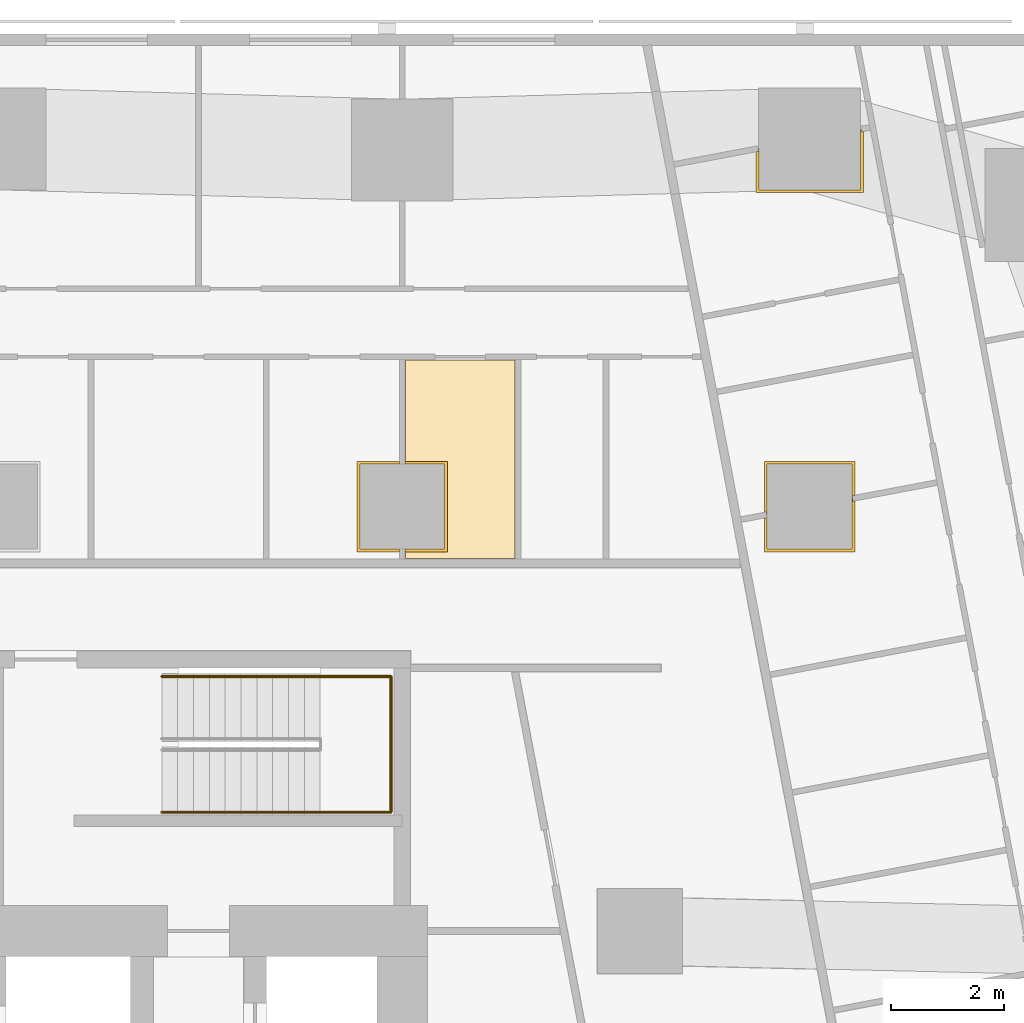
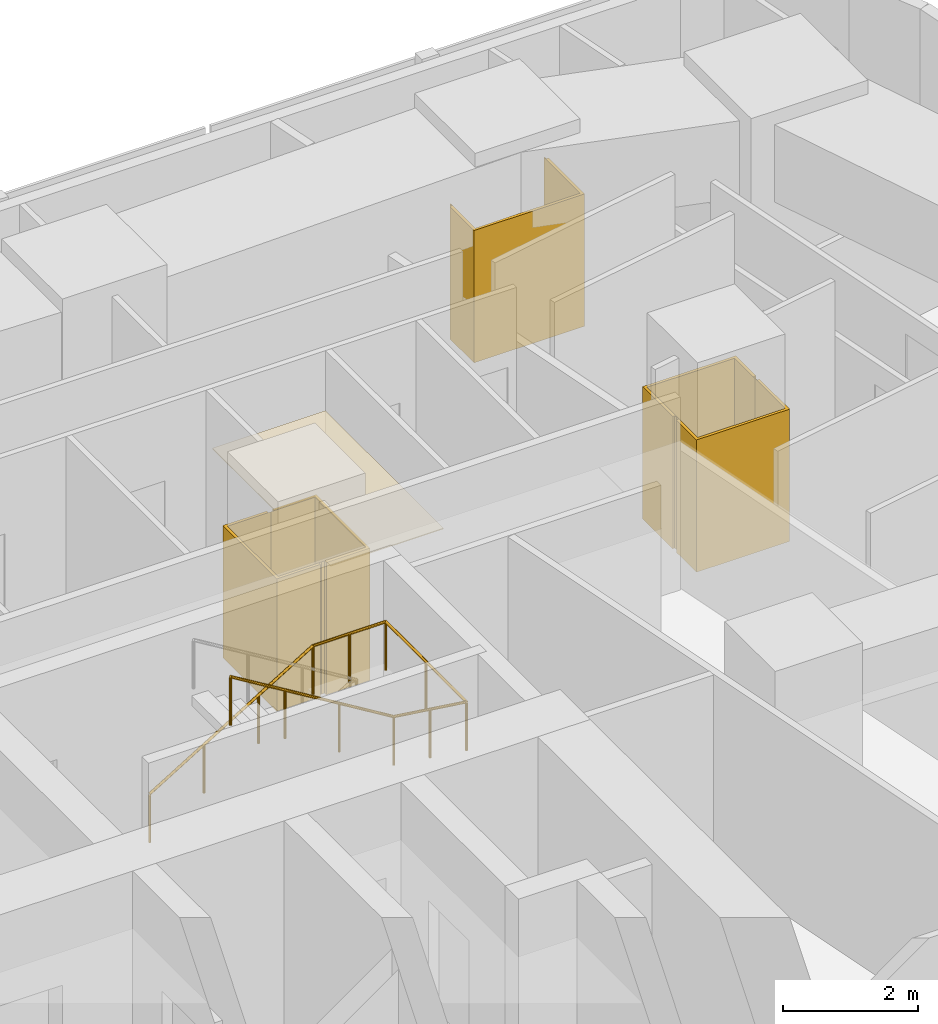
# One storey, part 15 of 15: 6 coverings, 1 railing.
"""IFC4 building model written with IfcOpenShell, lengths in metres."""

from ifc_helpers import new_model, si_unit, direction, frame, origin, origin_2d, place, context, subcontext, project, spatial, polyline, circle, outline, extrude, material, layer, layer_set, type_object, element, save


model = new_model("IFC4")

# Units and contexts
model_context = context("Model", 3, precision=1e-05, world=origin(), true_north=direction((0.0, 1.0)))
body_context = subcontext(model_context, "Body", "Model", "MODEL_VIEW")
ifc_project = project(units=[si_unit("LENGTHUNIT", "METRE"), si_unit("AREAUNIT", "SQUARE_METRE"), si_unit("VOLUMEUNIT", "CUBIC_METRE"), si_unit("PLANEANGLEUNIT", "RADIAN"), si_unit("MASSUNIT", "GRAM", prefix="KILO")], contexts=[model_context])

# Site, building, storey
site_placement = place(None, origin())
site = spatial("IfcSite", under=ifc_project, at=site_placement, CompositionType="ELEMENT")
building_placement = place(site_placement, origin())
building = spatial("IfcBuilding", under=site, at=building_placement, Name="Sheger Commons Tower", CompositionType="ELEMENT")
storey_placement = place(building_placement, frame((0.0, 0.0, 158.300048828125)))
storey = spatial("IfcBuildingStorey", under=building, at=storey_placement, Name="L40", CompositionType="ELEMENT", Elevation=158.300048828125)

# Railing
ifc_material_1 = material(Name="Steel handrail, black powder-coated", Category="steel")
railing_type = type_object("IfcRailingType", Name="HANDRAIL 900", PredefinedType="HANDRAIL", material=ifc_material_1)
railing_placement = place(storey_placement, frame((24.550048828125, 34.5, 0.17041015625)))
element("IfcRailing", 1, at=railing_placement, inside=storey, type_object=railing_type, Name="Stair S2 handrail L40", PredefinedType="HANDRAIL", context=body_context, shape_type="SweptSolid", body=[
    extrude(circle(Radius=0.02392578125, at=origin_2d()), frame((0.0, 0.0, 0.8759765625), z_axis=(0.854169791009, 0.0, 0.51999420009), x_axis=(0.0, 1.0, 0.0)), (0.0, 0.0, 1.0), 3.278076171875),
    extrude(circle(Radius=0.02392578125, at=origin_2d()), frame((2.800048828125, 0.0, 2.58056640625), z_axis=(1.0, 0.0, 0.0), x_axis=(0.0, 1.0, 0.0)), (0.0, 0.0, 1.0), 1.25),
    extrude(circle(Radius=0.02392578125, at=origin_2d()), frame((4.050048828125, 0.0, 2.58056640625), z_axis=(0.0, -1.0, 0.0), x_axis=(1.0, 0.0, 0.0)), (0.0, 0.0, 1.0), 2.39990234375),
    extrude(circle(Radius=0.02392578125, at=origin_2d()), frame((4.050048828125, -2.39990234375, 2.58056640625), z_axis=(-0.990834877927, 0.0, 0.135078661092), x_axis=(0.0, -1.0, 0.0)), (0.0, 0.0, 1.0), 1.261474609375),
    extrude(circle(Radius=0.02392578125, at=origin_2d()), frame((2.800048828125, -2.39990234375, 2.7509765625), z_axis=(-0.854169791009, 0.0, 0.51999420009), x_axis=(0.0, -1.0, 0.0)), (0.0, 0.0, 1.0), 3.278076171875),
    extrude(circle(Radius=0.02099609375, at=origin_2d()), origin(), (0.0, 0.0, 1.0), 0.851806640625),
    extrude(circle(Radius=0.02099609375, at=origin_2d()), frame((0.933349609375, 0.0, 0.568115234375)), (0.0, 0.0, 1.0), 0.851806640625),
    extrude(circle(Radius=0.02099609375, at=origin_2d()), frame((1.86669921875, 0.0, 1.136474609375)), (0.0, 0.0, 1.0), 0.851806640625),
    extrude(circle(Radius=0.02099609375, at=origin_2d()), frame((2.800048828125, 0.0, 1.70458984375)), (0.0, 0.0, 1.0), 0.851806640625),
    extrude(circle(Radius=0.02099609375, at=origin_2d()), frame((3.425048828125, 0.0, 1.70458984375)), (0.0, 0.0, 1.0), 0.851806640625),
    extrude(circle(Radius=0.02099609375, at=origin_2d()), frame((4.050048828125, 0.0, 1.70458984375)), (0.0, 0.0, 1.0), 0.851806640625),
    extrude(circle(Radius=0.02099609375, at=origin_2d()), frame((4.050048828125, -1.199951171875, 1.70458984375)), (0.0, 0.0, 1.0), 0.851806640625),
    extrude(circle(Radius=0.02099609375, at=origin_2d()), frame((4.050048828125, -2.39990234375, 1.70458984375)), (0.0, 0.0, 1.0), 0.851806640625),
    extrude(circle(Radius=0.02099609375, at=origin_2d()), frame((3.425048828125, -2.39990234375, 1.789794921875)), (0.0, 0.0, 1.0), 0.851806640625),
    extrude(circle(Radius=0.02099609375, at=origin_2d()), frame((2.800048828125, -2.39990234375, 1.875)), (0.0, 0.0, 1.0), 0.851806640625),
    extrude(circle(Radius=0.02099609375, at=origin_2d()), frame((1.86669921875, -2.39990234375, 2.443115234375)), (0.0, 0.0, 1.0), 0.851806640625),
    extrude(circle(Radius=0.02099609375, at=origin_2d()), frame((0.933349609375, -2.39990234375, 3.011474609375)), (0.0, 0.0, 1.0), 0.851806640625),
    extrude(circle(Radius=0.02099609375, at=origin_2d()), frame((0.0, -2.39990234375, 3.57958984375)), (0.0, 0.0, 1.0), 0.851806640625),
])

# Coverings
ifc_material_2 = material(Name="Moisture-resistant gypsum plasterboard 15 mm on a suspended galvanised steel grid", Category="steel")
ifc_layer_1 = layer(ifc_material_2, 0.014892578125)
ifc_layer_set_1 = layer_set([ifc_layer_1], Name="MOISTURE-RESISTANT CEILING 15")
covering_type_1 = type_object("IfcCoveringType", Name="MOISTURE-RESISTANT CEILING 15", PredefinedType="CEILING", material=ifc_layer_set_1)
covering_1_placement = place(storey_placement, frame((0.0, 0.0, 2.39990234375)))
element("IfcCovering", 2, at=covering_1_placement, inside=storey, type_object=covering_type_1, Name="L40-11.B3 ceiling", PredefinedType="CEILING", context=body_context, shape_type="SweptSolid", body=[
    extrude(outline(polyline([(28.85498046875, 36.580078125), (30.794921875, 36.580078125), (30.794921875, 40.094970703125), (28.85498046875, 40.094970703125), (28.85498046875, 38.2548828125), (29.554931640625, 38.2548828125), (29.554931640625, 36.7451171875), (28.85498046875, 36.7451171875), (28.85498046875, 36.580078125)])), origin(), (0.0, 0.0, 1.0), 0.01513671875),
])
ifc_material_3 = material(Name="Moisture-resistant gypsum board 12.5 mm on 25 mm treated timber battens, tanked and tiled", Category="wood")
ifc_layer_2 = layer(ifc_material_3, 0.050048828125)
ifc_layer_set_2 = layer_set([ifc_layer_2], Name="WET-ROOM COLUMN LINING")
covering_type_2 = type_object("IfcCoveringType", Name="WET-ROOM COLUMN LINING", PredefinedType="CLADDING", material=ifc_layer_set_2)
covering_2_placement = place(storey_placement, origin())
element("IfcCovering", 3, at=covering_2_placement, inside=storey, type_object=covering_type_2, Name="Laundry room column lining C10 L40", PredefinedType="CLADDING", context=body_context, shape_type="SweptSolid", body=[
    extrude(outline(polyline([(28.75, 38.300048828125), (28.75, 38.2509765625), (28.800048828125, 38.2509765625), (28.800048828125, 38.25), (28.050048828125, 38.25), (28.050048828125, 36.75), (28.800048828125, 36.75), (28.800048828125, 36.7490234375), (28.75, 36.7490234375), (28.75, 36.699951171875), (28.0, 36.699951171875), (28.0, 38.300048828125), (28.75, 38.300048828125)])), origin(), (0.0, 0.0, 1.0), 2.39990234375),
])
covering_3_placement = place(storey_placement, origin())
element("IfcCovering", 4, at=covering_3_placement, inside=storey, type_object=covering_type_2, Name="Bathroom column lining C10 L40", PredefinedType="CLADDING", context=body_context, shape_type="SweptSolid", body=[
    extrude(outline(polyline([(29.60009765625, 36.699951171875), (28.85009765625, 36.699951171875), (28.85009765625, 36.7490234375), (28.800048828125, 36.7490234375), (28.800048828125, 36.75), (29.550048828125, 36.75), (29.550048828125, 38.25), (28.800048828125, 38.25), (28.800048828125, 38.2509765625), (28.85009765625, 38.2509765625), (28.85009765625, 38.300048828125), (29.60009765625, 38.300048828125), (29.60009765625, 36.699951171875)])), origin(), (0.0, 0.0, 1.0), 2.39990234375),
])
covering_4_placement = place(storey_placement, origin())
element("IfcCovering", 5, at=covering_4_placement, inside=storey, type_object=covering_type_2, Name="Store and laundry column lining C10 L40", PredefinedType="CLADDING", context=body_context, shape_type="SweptSolid", body=[
    extrude(outline(polyline([(35.25, 37.35888671875), (35.25, 36.75), (36.75, 36.75), (36.75, 37.64208984375), (36.760009765625, 37.64404296875), (36.76904296875, 37.594970703125), (36.800048828125, 37.60107421875), (36.800048828125, 36.699951171875), (35.199951171875, 36.699951171875), (35.199951171875, 37.299072265625), (35.2490234375, 37.30810546875), (35.239990234375, 37.35693359375), (35.25, 37.35888671875)])), origin(), (0.0, 0.0, 1.0), 2.39990234375),
])
covering_5_placement = place(storey_placement, origin())
element("IfcCovering", 6, at=covering_5_placement, inside=storey, type_object=covering_type_2, Name="Store and laundry column lining C10 L40", PredefinedType="CLADDING", context=body_context, shape_type="SweptSolid", body=[
    extrude(outline(polyline([(36.800048828125, 38.300048828125), (36.800048828125, 37.701904296875), (36.7509765625, 37.693115234375), (36.760009765625, 37.64404296875), (36.75, 37.64208984375), (36.75, 38.25), (35.25, 38.25), (35.25, 37.35888671875), (35.239990234375, 37.35693359375), (35.23095703125, 37.406005859375), (35.199951171875, 37.39990234375), (35.199951171875, 38.300048828125), (36.800048828125, 38.300048828125)])), origin(), (0.0, 0.0, 1.0), 2.39990234375),
])
covering_6_placement = place(storey_placement, origin())
element("IfcCovering", 7, at=covering_6_placement, inside=storey, type_object=covering_type_2, Name="Store and laundry column lining C8 L40", PredefinedType="CLADDING", context=body_context, shape_type="SweptSolid", body=[
    extrude(outline(polyline([(35.10009765625, 43.830078125), (35.10009765625, 43.10009765625), (36.89990234375, 43.10009765625), (36.89990234375, 44.1708984375), (36.909912109375, 44.173095703125), (36.9189453125, 44.123046875), (36.949951171875, 44.12890625), (36.949951171875, 43.050048828125), (35.050048828125, 43.050048828125), (35.050048828125, 43.77001953125), (35.09912109375, 43.779052734375), (35.090087890625, 43.827880859375), (35.10009765625, 43.830078125)])), origin(), (0.0, 0.0, 1.0), 2.39990234375),
])

save(model, "model.ifc")
